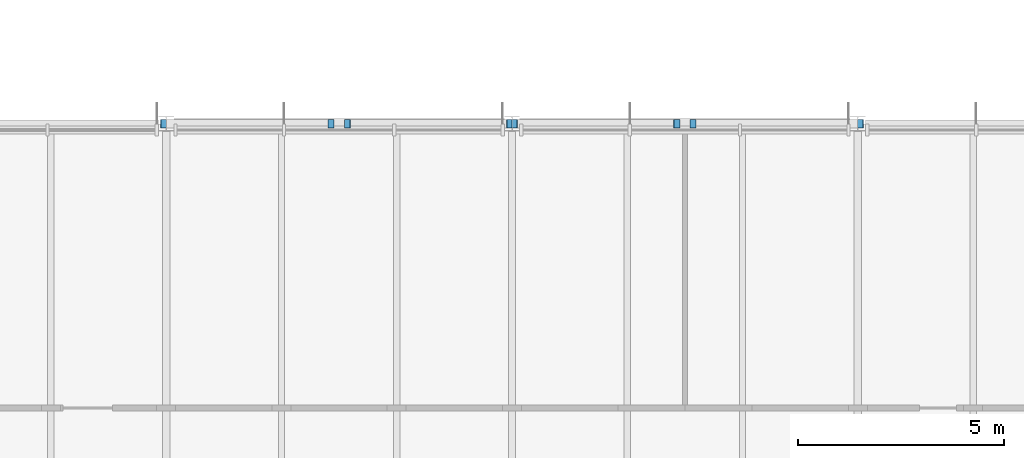
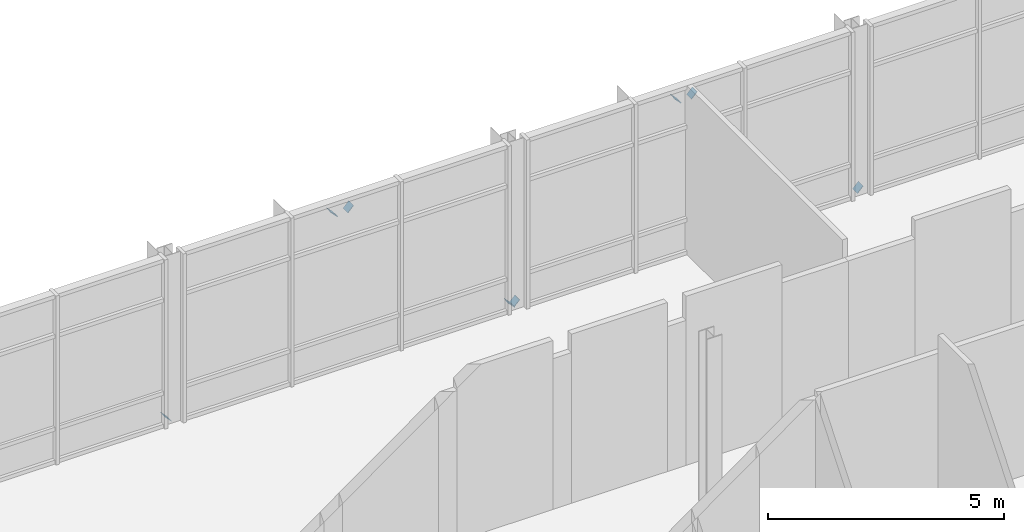
# One storey, part 57 of 72: 8 discrete accessories.
"""IFC4 building model written with IfcOpenShell, lengths in metres."""

from ifc_helpers import new_model, si_unit, direction, frame, origin, origin_2d, place, context, subcontext, project, spatial, rectangle, extrude, material, element, save


model = new_model("IFC4")

# Units and contexts
model_context = context("Model", 3, precision=1e-05, world=origin(), true_north=direction((0.0, 1.0)))
body_context = subcontext(model_context, "Body", "Model", "MODEL_VIEW")
ifc_project = project(units=[si_unit("LENGTHUNIT", "METRE"), si_unit("AREAUNIT", "SQUARE_METRE"), si_unit("VOLUMEUNIT", "CUBIC_METRE"), si_unit("PLANEANGLEUNIT", "RADIAN"), si_unit("MASSUNIT", "GRAM", prefix="KILO")], contexts=[model_context])

# Site, building, storey
site_placement = place(None, origin())
site = spatial("IfcSite", under=ifc_project, at=site_placement, CompositionType="ELEMENT")
building_placement = place(site_placement, origin())
building = spatial("IfcBuilding", under=site, at=building_placement, Name="Hlaing Beacon Police Headquarters", CompositionType="ELEMENT")
storey_placement = place(building_placement, frame((0.0, 0.0, 14.39990234375)))
storey = spatial("IfcBuildingStorey", under=building, at=storey_placement, Name="L03", CompositionType="ELEMENT", Elevation=14.39990234375)

# Discrete accessories
ifc_material = material(Name="Steel ASTM A572 Grade 50", Category="steel")
for number, where, z_axis, x_axis, name in (
    (1, (109.143310546875, 92.39990234375, 0.078369140625), (-0.724831867616, 0.0, -0.688925804197), (0.0, -1.0, 0.0), "Gusset plate GP-217"),
    (2, (113.195556640625, 92.39990234375, 3.929931640625), (0.724831867616, 0.0, 0.688925804197), (0.0, 1.0, 0.0), "Gusset plate GP-218"),
    (3, (117.656494140625, 92.39990234375, 0.078369140625), (0.724811184972, 0.0, -0.688947564144), (0.0, 1.0, 0.0), "Gusset plate GP-219"),
    (4, (113.6044921875, 92.39990234375, 3.929931640625), (-0.724811184972, 0.0, 0.688947564144), (0.0, -1.0, 0.0), "Gusset plate GP-220"),
    (5, (117.54345703125, 92.39990234375, 0.078369140625), (-0.724831867616, 0.0, -0.688925804197), (0.0, -1.0, 0.0), "Gusset plate GP-221"),
    (6, (121.595703125, 92.39990234375, 3.929931640625), (0.724831867616, 0.0, 0.688925804197), (0.0, 1.0, 0.0), "Gusset plate GP-222"),
    (7, (126.056640625, 92.39990234375, 0.078369140625), (0.724831867616, 0.0, -0.688925804197), (0.0, 1.0, 0.0), "Gusset plate GP-223"),
    (8, (122.00439453125, 92.39990234375, 3.929931640625), (-0.724831867616, 0.0, 0.688925804197), (0.0, -1.0, 0.0), "Gusset plate GP-224"),
):
    element("IfcDiscreteAccessory", number, at=place(storey_placement, frame(where, z_axis=z_axis, x_axis=x_axis)), inside=storey, material=ifc_material, Name=name, PredefinedType="BRACKET", context=body_context, shape_type="SweptSolid", body=[
        extrude(rectangle(XDim=0.203125, YDim=0.203125, at=origin_2d()), origin(), (0.0, 0.0, 1.0), 0.011962890625),
    ])

save(model, "model.ifc")
